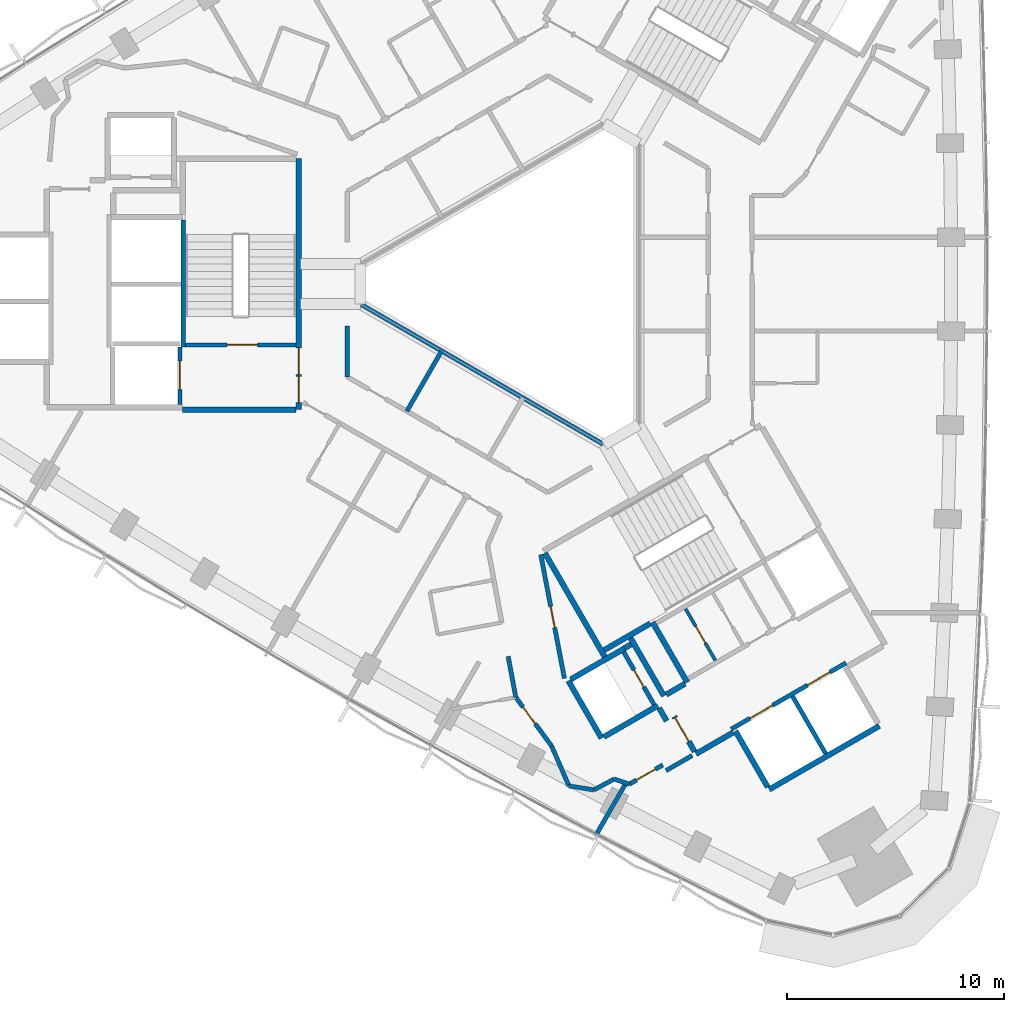
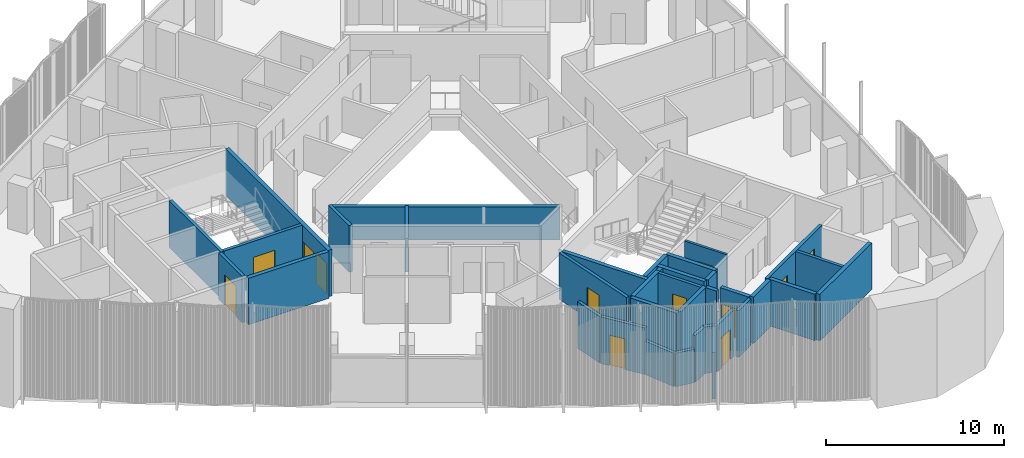
# One storey, part 8 of 15: 36 walls, 12 doors, 12 openings.
"""IFC4 building model written with IfcOpenShell, lengths in metres."""

from ifc_helpers import new_model, si_unit, direction, frame, frame_2d, origin, place, context, subcontext, project, spatial, rectangle, extrude, material, layer, layer_set, type_object, element, fill, save


model = new_model("IFC4")

# Units and contexts
model_context = context("Model", 3, precision=1e-05, world=origin(), true_north=direction((0.0, 1.0)))
body_context = subcontext(model_context, "Body", "Model", "MODEL_VIEW")
ifc_project = project(units=[si_unit("LENGTHUNIT", "METRE"), si_unit("AREAUNIT", "SQUARE_METRE"), si_unit("VOLUMEUNIT", "CUBIC_METRE"), si_unit("PLANEANGLEUNIT", "RADIAN"), si_unit("MASSUNIT", "GRAM", prefix="KILO")], contexts=[model_context])

# Site, building, storey
site_placement = place(None, origin())
site = spatial("IfcSite", under=ifc_project, at=site_placement, CompositionType="ELEMENT")
building_placement = place(site_placement, origin())
building = spatial("IfcBuilding", under=site, at=building_placement, Name="Tamra Quay Hotel Tower", CompositionType="ELEMENT")
storey_placement = place(building_placement, frame((0.0, 0.0, 157.60009765625)))
storey = spatial("IfcBuildingStorey", under=building, at=storey_placement, Name="L39", CompositionType="ELEMENT", Elevation=157.60009765625)

# Wall
ifc_material_1 = material(Name="Concrete M70", Category="concrete")
ifc_layer_1 = layer(ifc_material_1, 0.199951171875)
ifc_layer_set_1 = layer_set([ifc_layer_1], Name="Concrete M70 core wall 200")
wall_type_1 = type_object("IfcWallType", Name="Concrete M70 core wall 200", PredefinedType="SHEAR", material=ifc_layer_set_1)
wall_1_placement = place(storey_placement, frame((-16.162109375, 2.95068359375, 0.0), z_axis=(0.0, 0.0, 1.0), x_axis=(0.0, -1.0, 0.0)))
element("IfcWall", 1, at=wall_1_placement, inside=storey, type_object=wall_type_1, Name="CW2", PredefinedType="SHEAR", context=body_context, shape_type="SweptSolid", body=[
    extrude(rectangle(XDim=5.850830078125, YDim=0.199951171875, at=frame_2d((2.92529296875, 0.0))), origin(), (0.0, 0.0, 1.0), 3.199951171875),
])

# Wall, opening, door
wall_2_placement = place(storey_placement, frame((-10.96337890625, -2.800048828125, 0.0), z_axis=(0.0, 0.0, 1.0), x_axis=(-1.0, 0.0, 0.0)))
wall_2 = element("IfcWall", 2, at=wall_2_placement, inside=storey, type_object=wall_type_1, Name="CW2", PredefinedType="SHEAR", context=body_context, shape_type="SweptSolid", body=[
    extrude(rectangle(XDim=5.097900390625, YDim=0.199951171875, at=frame_2d((2.548828125, 0.0))), origin(), (0.0, 0.0, 1.0), 3.199951171875),
])
opening_1_placement = place(wall_2_placement, frame((1.77392578125, 0.0, 0.0)))
opening_1 = element("IfcOpeningElement", 3, at=opening_1_placement, cuts=wall_2, Name="Opening FD2", PredefinedType="OPENING", context=body_context, shape_type="SweptSolid", body=[
    extrude(rectangle(XDim=1.39990234375, YDim=2.10009765625, at=frame_2d((0.699951171875, 1.050048828125))), frame((0.0, 0.10986328125, 0.0), z_axis=(0.0, -1.0, 0.0), x_axis=(1.0, 0.0, 0.0)), (0.0, 0.0, 1.0), 0.219970703125),
])
ifc_material_2 = material(Name="Core door FD2 1400x2100 LH")
door_type_1 = type_object("IfcDoorType", Name="Core door FD2 1400x2100 LH", OperationType="NOTDEFINED", PredefinedType="DOOR", material=ifc_material_2)
door_1_placement = place(opening_1_placement, origin())
door_1 = element("IfcDoor", 4, at=door_1_placement, inside=storey, type_object=door_type_1, Name="FD2", OperationType="SINGLE_SWING_LEFT", OverallHeight=2.10009765625, OverallWidth=1.39990234375, PredefinedType="DOOR", context=body_context, shape_type="SweptSolid", body=[
    extrude(rectangle(XDim=1.39990234375, YDim=2.10009765625, at=frame_2d((0.699951171875, 1.050048828125))), frame((0.0, 0.02490234375, 0.0), z_axis=(0.0, -1.0, 0.0), x_axis=(1.0, 0.0, 0.0)), (0.0, 0.0, 1.0), 0.050048828125),
])
fill(opening_1, door_1)

wall_3_placement = place(storey_placement, frame((-16.312255859375, -2.898193359375, 0.0), z_axis=(0.0, 0.0, 1.0), x_axis=(0.0, -1.0, 0.0)))
wall_3 = element("IfcWall", 5, at=wall_3_placement, inside=storey, type_object=wall_type_1, Name="CW2", PredefinedType="SHEAR", context=body_context, shape_type="SweptSolid", body=[
    extrude(rectangle(XDim=2.65087890625, YDim=0.199951171875, at=frame_2d((1.325439453125, 0.0))), origin(), (0.0, 0.0, 1.0), 3.199951171875),
])
opening_2_placement = place(wall_3_placement, frame((0.65185546875, 0.0, 0.0)))
opening_2 = element("IfcOpeningElement", 6, at=opening_2_placement, cuts=wall_3, Name="Opening LD", PredefinedType="OPENING", context=body_context, shape_type="SweptSolid", body=[
    extrude(rectangle(XDim=1.300048828125, YDim=2.10009765625, at=frame_2d((0.64990234375, 1.050048828125))), frame((0.0, 0.10986328125, 0.0), z_axis=(0.0, -1.0, 0.0), x_axis=(1.0, 0.0, 0.0)), (0.0, 0.0, 1.0), 0.219970703125),
])
ifc_material_3 = material(Name="Landing door LD 1300 sliding to left")
door_type_2 = type_object("IfcDoorType", Name="Landing door LD 1300 sliding to left", OperationType="NOTDEFINED", PredefinedType="DOOR", material=ifc_material_3)
door_2_placement = place(opening_2_placement, origin())
door_2 = element("IfcDoor", 7, at=door_2_placement, inside=storey, type_object=door_type_2, Name="LD", OperationType="SLIDING_TO_LEFT", OverallHeight=2.10009765625, OverallWidth=1.300048828125, PredefinedType="DOOR", context=body_context, shape_type="SweptSolid", body=[
    extrude(rectangle(XDim=1.300048828125, YDim=2.10009765625, at=frame_2d((0.64990234375, 1.050048828125))), frame((0.0, 0.02490234375, 0.0), z_axis=(0.0, -1.0, 0.0), x_axis=(1.0, 0.0, 0.0)), (0.0, 0.0, 1.0), 0.050048828125),
])
fill(opening_2, door_2)

# Wall, openings, doors
wall_4_placement = place(storey_placement, frame((9.052490234375, -20.479736328125, 0.0), z_axis=(0.0, 0.0, 1.0), x_axis=(0.866030299012, 0.499991521122, 0.0)))
wall_4 = element("IfcWall", 8, at=wall_4_placement, inside=storey, type_object=wall_type_1, Name="CW2", PredefinedType="SHEAR", context=body_context, shape_type="SweptSolid", body=[
    extrude(rectangle(XDim=6.10009765625, YDim=0.199951171875, at=frame_2d((3.050048828125, 0.0))), origin(), (0.0, 0.0, 1.0), 3.199951171875),
])
opening_3_placement = place(wall_4_placement, frame((1.0, 0.0, 0.0)))
opening_3 = element("IfcOpeningElement", 9, at=opening_3_placement, cuts=wall_4, Name="Opening LD", PredefinedType="OPENING", context=body_context, shape_type="SweptSolid", body=[
    extrude(rectangle(XDim=1.199951171875, YDim=2.10009765625, at=frame_2d((0.60009765625, 1.050048828125))), frame((0.0, 0.10986328125, 0.0), z_axis=(0.0, -1.0, 0.0), x_axis=(1.0, 0.0, 0.0)), (0.0, 0.0, 1.0), 0.219970703125),
])
opening_4_placement = place(wall_4_placement, frame((4.05029296875, 0.0, 0.0)))
opening_4 = element("IfcOpeningElement", 10, at=opening_4_placement, cuts=wall_4, Name="Opening LD", PredefinedType="OPENING", context=body_context, shape_type="SweptSolid", body=[
    extrude(rectangle(XDim=1.199951171875, YDim=2.10009765625, at=frame_2d((0.60009765625, 1.050048828125))), frame((0.0, 0.10986328125, 0.0), z_axis=(0.0, -1.0, 0.0), x_axis=(1.0, 0.0, 0.0)), (0.0, 0.0, 1.0), 0.219970703125),
])
ifc_material_4 = material(Name="Landing door LD 1200 double door sliding")
door_type_3 = type_object("IfcDoorType", Name="Landing door LD 1200 double door sliding", OperationType="DOUBLE_DOOR_SLIDING", PredefinedType="DOOR", material=ifc_material_4)
door_3_placement = place(opening_3_placement, origin())
door_3 = element("IfcDoor", 11, at=door_3_placement, inside=storey, type_object=door_type_3, Name="LD", OperationType="DOUBLE_DOOR_SLIDING", OverallHeight=2.10009765625, OverallWidth=1.199951171875, PredefinedType="DOOR", context=body_context, shape_type="SweptSolid", body=[
    extrude(rectangle(XDim=1.199951171875, YDim=2.10009765625, at=frame_2d((0.60009765625, 1.050048828125))), frame((0.0, 0.02490234375, 0.0), z_axis=(0.0, -1.0, 0.0), x_axis=(1.0, 0.0, 0.0)), (0.0, 0.0, 1.0), 0.050048828125),
])
fill(opening_3, door_3)
door_4_placement = place(opening_4_placement, origin())
door_4 = element("IfcDoor", 12, at=door_4_placement, inside=storey, type_object=door_type_3, Name="LD", OperationType="DOUBLE_DOOR_SLIDING", OverallHeight=2.10009765625, OverallWidth=1.199951171875, PredefinedType="DOOR", context=body_context, shape_type="SweptSolid", body=[
    extrude(rectangle(XDim=1.199951171875, YDim=2.10009765625, at=frame_2d((0.60009765625, 1.050048828125))), frame((0.0, 0.02490234375, 0.0), z_axis=(0.0, -1.0, 0.0), x_axis=(1.0, 0.0, 0.0)), (0.0, 0.0, 1.0), 0.050048828125),
])
fill(opening_4, door_4)

# Wall
wall_5_placement = place(storey_placement, frame((11.87451171875, -18.967041015625, 0.0), z_axis=(0.0, 0.0, 1.0), x_axis=(0.49998131003, -0.866036194175, 0.0)))
element("IfcWall", 13, at=wall_5_placement, inside=storey, type_object=wall_type_1, Name="CW2", PredefinedType="SHEAR", context=body_context, shape_type="SweptSolid", body=[
    extrude(rectangle(XDim=3.0478515625, YDim=0.199951171875, at=frame_2d((1.52392578125, 0.0))), origin(), (0.0, 0.0, 1.0), 3.199951171875),
])

# Wall, opening, door
wall_6_placement = place(storey_placement, frame((5.50341796875, -19.352294921875, 0.0), z_axis=(0.0, 0.0, 1.0), x_axis=(-0.499986818241, 0.866033014143, 0.0)))
wall_6 = element("IfcWall", 14, at=wall_6_placement, inside=storey, type_object=wall_type_1, Name="CW2", PredefinedType="SHEAR", context=body_context, shape_type="SweptSolid", body=[
    extrude(rectangle(XDim=2.7978515625, YDim=0.199951171875, at=frame_2d((1.39892578125, 0.0))), origin(), (0.0, 0.0, 1.0), 3.199951171875),
])
opening_5_placement = place(wall_6_placement, frame((0.948974609375, 0.0, 0.0)))
opening_5 = element("IfcOpeningElement", 15, at=opening_5_placement, cuts=wall_6, Name="Opening D1", PredefinedType="OPENING", context=body_context, shape_type="SweptSolid", body=[
    extrude(rectangle(XDim=0.89990234375, YDim=2.10009765625, at=frame_2d((0.449951171875, 1.050048828125))), frame((0.0, 0.10986328125, 0.0), z_axis=(0.0, -1.0, 0.0), x_axis=(1.0, 0.0, 0.0)), (0.0, 0.0, 1.0), 0.219970703125),
])
ifc_material_5 = material(Name="Core door D1 900x2100 LH")
door_type_4 = type_object("IfcDoorType", Name="Core door D1 900x2100 LH", OperationType="NOTDEFINED", PredefinedType="DOOR", material=ifc_material_5)
door_5_placement = place(opening_5_placement, origin())
door_5 = element("IfcDoor", 16, at=door_5_placement, inside=storey, type_object=door_type_4, Name="D1", OperationType="SINGLE_SWING_LEFT", OverallHeight=2.10009765625, OverallWidth=0.89990234375, PredefinedType="DOOR", context=body_context, shape_type="SweptSolid", body=[
    extrude(rectangle(XDim=0.89990234375, YDim=2.10009765625, at=frame_2d((0.449951171875, 1.050048828125))), frame((0.0, 0.02490234375, 0.0), z_axis=(0.0, -1.0, 0.0), x_axis=(1.0, 0.0, 0.0)), (0.0, 0.0, 1.0), 0.050048828125),
])
fill(opening_5, door_5)

# Wall, openings, doors
ifc_layer_2 = layer(ifc_material_1, 0.25)
ifc_layer_set_2 = layer_set([ifc_layer_2], Name="Concrete M70 core wall 250")
wall_type_2 = type_object("IfcWallType", Name="Concrete M70 core wall 250", PredefinedType="SHEAR", material=ifc_layer_set_2)
wall_7_placement = place(storey_placement, frame((-10.83740234375, 5.77490234375, 0.0), z_axis=(0.0, 0.0, 1.0), x_axis=(0.0, -1.0, 0.0)))
wall_7 = element("IfcWall", 17, at=wall_7_placement, inside=storey, type_object=wall_type_2, Name="CW1", PredefinedType="SHEAR", context=body_context, shape_type="SweptSolid", body=[
    extrude(rectangle(XDim=11.5498046875, YDim=0.25, at=frame_2d((5.77490234375, 0.0))), origin(), (0.0, 0.0, 1.0), 3.199951171875),
])
opening_6_placement = place(wall_7_placement, frame((10.02490234375, 0.0, 0.0)))
opening_6 = element("IfcOpeningElement", 18, at=opening_6_placement, cuts=wall_7, Name="Opening FD1", PredefinedType="OPENING", context=body_context, shape_type="SweptSolid", body=[
    extrude(rectangle(XDim=1.199951171875, YDim=2.10009765625, at=frame_2d((0.60009765625, 1.050048828125))), frame((0.0, 0.135009765625, 0.0), z_axis=(0.0, -1.0, 0.0), x_axis=(1.0, 0.0, 0.0)), (0.0, 0.0, 1.0), 0.27001953125),
])
opening_7_placement = place(wall_7_placement, frame((8.72509765625, 0.0, 0.0)))
opening_7 = element("IfcOpeningElement", 19, at=opening_7_placement, cuts=wall_7, Name="Opening FD1", PredefinedType="OPENING", context=body_context, shape_type="SweptSolid", body=[
    extrude(rectangle(XDim=1.199951171875, YDim=2.10009765625, at=frame_2d((0.60009765625, 1.050048828125))), frame((0.0, 0.135009765625, 0.0), z_axis=(0.0, -1.0, 0.0), x_axis=(1.0, 0.0, 0.0)), (0.0, 0.0, 1.0), 0.27001953125),
])
ifc_material_6 = material(Name="Core door FD1 1200x2100 LH")
door_type_5 = type_object("IfcDoorType", Name="Core door FD1 1200x2100 LH", OperationType="NOTDEFINED", PredefinedType="DOOR", material=ifc_material_6)
door_6_placement = place(opening_6_placement, origin())
door_6 = element("IfcDoor", 20, at=door_6_placement, inside=storey, type_object=door_type_5, Name="FD1", OperationType="SINGLE_SWING_LEFT", OverallHeight=2.10009765625, OverallWidth=1.199951171875, PredefinedType="DOOR", context=body_context, shape_type="SweptSolid", body=[
    extrude(rectangle(XDim=1.199951171875, YDim=2.10009765625, at=frame_2d((0.60009765625, 1.050048828125))), frame((0.0, 0.02490234375, 0.0), z_axis=(0.0, -1.0, 0.0), x_axis=(1.0, 0.0, 0.0)), (0.0, 0.0, 1.0), 0.050048828125),
])
fill(opening_6, door_6)
ifc_material_7 = material(Name="Core door FD1 1200x2100 RH")
door_type_6 = type_object("IfcDoorType", Name="Core door FD1 1200x2100 RH", OperationType="NOTDEFINED", PredefinedType="DOOR", material=ifc_material_7)
door_7_placement = place(opening_7_placement, origin())
door_7 = element("IfcDoor", 21, at=door_7_placement, inside=storey, type_object=door_type_6, Name="FD1", OperationType="SINGLE_SWING_RIGHT", OverallHeight=2.10009765625, OverallWidth=1.199951171875, PredefinedType="DOOR", context=body_context, shape_type="SweptSolid", body=[
    extrude(rectangle(XDim=1.199951171875, YDim=2.10009765625, at=frame_2d((0.60009765625, 1.050048828125))), frame((0.0, 0.02490234375, 0.0), z_axis=(0.0, -1.0, 0.0), x_axis=(1.0, 0.0, 0.0)), (0.0, 0.0, 1.0), 0.050048828125),
])
fill(opening_7, door_7)

# Walls
wall_8_placement = place(storey_placement, frame((-10.962646484375, -5.77490234375, 0.0), z_axis=(0.0, 0.0, 1.0), x_axis=(-1.0, 0.0, 0.0)))
element("IfcWall", 22, at=wall_8_placement, inside=storey, type_object=wall_type_2, Name="CW1", PredefinedType="SHEAR", context=body_context, shape_type="SweptSolid", body=[
    extrude(rectangle(XDim=5.224609375, YDim=0.25, at=frame_2d((2.6123046875, 0.0))), origin(), (0.0, 0.0, 1.0), 3.199951171875),
])
wall_9_placement = place(storey_placement, frame((15.86474609375, -20.328369140625, 0.0), z_axis=(0.0, 0.0, 1.0), x_axis=(-0.86602852612, -0.499994591916, 0.0)))
element("IfcWall", 23, at=wall_9_placement, inside=storey, type_object=wall_type_2, Name="CW1", PredefinedType="SHEAR", context=body_context, shape_type="SweptSolid", body=[
    extrude(rectangle(XDim=5.85009765625, YDim=0.25, at=frame_2d((2.925048828125, 0.0))), origin(), (0.0, 0.0, 1.0), 3.199951171875),
])
wall_10_placement = place(storey_placement, frame((3.23486328125, -17.15283203125, 0.0), z_axis=(0.0, 0.0, 1.0), x_axis=(-0.500008851346, 0.866020293397, 0.0)))
element("IfcWall", 24, at=wall_10_placement, inside=storey, type_object=wall_type_2, Name="CW1", PredefinedType="SHEAR", context=body_context, shape_type="SweptSolid", body=[
    extrude(rectangle(XDim=5.509765625, YDim=0.25, at=frame_2d((2.7548828125, 0.0))), origin(), (0.0, 0.0, 1.0), 3.199951171875),
])
wall_11_placement = place(storey_placement, frame((7.030517578125, -18.327392578125, 0.0), z_axis=(0.0, 0.0, 1.0), x_axis=(-0.499971222258, 0.866042017984, 0.0)))
element("IfcWall", 25, at=wall_11_placement, inside=storey, type_object=wall_type_2, Name="CW1", PredefinedType="SHEAR", context=body_context, shape_type="SweptSolid", body=[
    extrude(rectangle(XDim=3.199951171875, YDim=0.25, at=frame_2d((1.60009765625, 0.0))), origin(), (0.0, 0.0, 1.0), 3.199951171875),
])
wall_12_placement = place(storey_placement, frame((10.73583984375, -23.144775390625, 0.0), z_axis=(0.0, 0.0, 1.0), x_axis=(-0.500023226632, 0.866011993467, 0.0)))
element("IfcWall", 26, at=wall_12_placement, inside=storey, type_object=wall_type_2, Name="CW1", PredefinedType="SHEAR", context=body_context, shape_type="SweptSolid", body=[
    extrude(rectangle(XDim=2.974365234375, YDim=0.25, at=frame_2d((1.4873046875, 0.0))), origin(), (0.0, 0.0, 1.0), 3.199951171875),
])
wall_13_placement = place(storey_placement, frame((3.085205078125, -20.893798828125, 0.0), z_axis=(0.0, 0.0, 1.0), x_axis=(-0.499978833458, 0.866037623948, 0.0)))
element("IfcWall", 27, at=wall_13_placement, inside=storey, type_object=wall_type_2, Name="CW1", PredefinedType="SHEAR", context=body_context, shape_type="SweptSolid", body=[
    extrude(rectangle(XDim=3.050048828125, YDim=0.25, at=frame_2d((1.52490234375, 0.0))), origin(), (0.0, 0.0, 1.0), 3.199951171875),
])
wall_14_placement = place(storey_placement, frame((1.6689453125, -18.189697265625, 0.0), z_axis=(0.0, 0.0, 1.0), x_axis=(0.866042235819, 0.499970844928, 0.0)))
element("IfcWall", 28, at=wall_14_placement, inside=storey, type_object=wall_type_2, Name="CW1", PredefinedType="SHEAR", context=body_context, shape_type="SweptSolid", body=[
    extrude(rectangle(XDim=2.864501953125, YDim=0.25, at=frame_2d((1.43212890625, 0.0))), origin(), (0.0, 0.0, 1.0), 3.199951171875),
])
wall_15_placement = place(storey_placement, frame((5.6748046875, -19.39892578125, 0.0), z_axis=(0.0, 0.0, 1.0), x_axis=(-0.866026637627, -0.499997862916, 0.0)))
element("IfcWall", 29, at=wall_15_placement, inside=storey, type_object=wall_type_2, Name="CW1", PredefinedType="SHEAR", context=body_context, shape_type="SweptSolid", body=[
    extrude(rectangle(XDim=2.86474609375, YDim=0.25, at=frame_2d((1.432373046875, 0.0))), origin(), (0.0, 0.0, 1.0), 3.199951171875),
])
wall_16_placement = place(storey_placement, frame((4.414306640625, -16.275634765625, 0.0), z_axis=(0.0, 0.0, 1.0), x_axis=(0.500003324108, -0.866023484601, 0.0)))
element("IfcWall", 30, at=wall_16_placement, inside=storey, type_object=wall_type_2, Name="CW1", PredefinedType="SHEAR", context=body_context, shape_type="SweptSolid", body=[
    extrude(rectangle(XDim=3.0849609375, YDim=0.25, at=frame_2d((1.54248046875, 0.0))), origin(), (0.0, 0.0, 1.0), 3.199951171875),
])
wall_17_placement = place(storey_placement, frame((5.322021484375, -15.618896484375, 0.0), z_axis=(0.0, 0.0, 1.0), x_axis=(-0.866026229868, -0.499998569178, 0.0)))
element("IfcWall", 31, at=wall_17_placement, inside=storey, type_object=wall_type_2, Name="CW1", PredefinedType="SHEAR", context=body_context, shape_type="SweptSolid", body=[
    extrude(rectangle(XDim=2.44921875, YDim=0.25, at=frame_2d((1.224609375, 0.0))), origin(), (0.0, 0.0, 1.0), 3.199951171875),
])
wall_18_placement = place(storey_placement, frame((9.139892578125, -20.63134765625, 0.0), z_axis=(0.0, 0.0, 1.0), x_axis=(-0.866043531843, -0.499968599967, 0.0)))
element("IfcWall", 32, at=wall_18_placement, inside=storey, type_object=wall_type_2, Name="CW1", PredefinedType="SHEAR", context=body_context, shape_type="SweptSolid", body=[
    extrude(rectangle(XDim=1.974853515625, YDim=0.25, at=frame_2d((0.9873046875, 0.0))), origin(), (0.0, 0.0, 1.0), 3.199951171875),
])

# Wall, opening, door
wall_19_placement = place(storey_placement, frame((7.3671875, -21.51025390625, 0.0), z_axis=(0.0, 0.0, 1.0), x_axis=(-0.499983108224, 0.866035156036, 0.0)))
wall_19 = element("IfcWall", 33, at=wall_19_placement, inside=storey, type_object=wall_type_2, Name="CW1", PredefinedType="SHEAR", context=body_context, shape_type="SweptSolid", body=[
    extrude(rectangle(XDim=1.86474609375, YDim=0.25, at=frame_2d((0.932373046875, 0.0))), origin(), (0.0, 0.0, 1.0), 3.199951171875),
])
opening_8_placement = place(wall_19_placement, frame((0.53466796875, 0.0, 0.0)))
opening_8 = element("IfcOpeningElement", 34, at=opening_8_placement, cuts=wall_19, Name="Opening FD3", PredefinedType="OPENING", context=body_context, shape_type="SweptSolid", body=[
    extrude(rectangle(XDim=1.25, YDim=2.10009765625, at=frame_2d((0.625, 1.050048828125))), frame((0.0, 0.135009765625, 0.0), z_axis=(0.0, -1.0, 0.0), x_axis=(1.0, 0.0, 0.0)), (0.0, 0.0, 1.0), 0.27001953125),
])
ifc_material_8 = material(Name="Core door FD3 1250x2100 LH")
door_type_7 = type_object("IfcDoorType", Name="Core door FD3 1250x2100 LH", OperationType="NOTDEFINED", PredefinedType="DOOR", material=ifc_material_8)
door_8_placement = place(opening_8_placement, origin())
door_8 = element("IfcDoor", 35, at=door_8_placement, inside=storey, type_object=door_type_7, Name="FD3", OperationType="SINGLE_SWING_LEFT", OverallHeight=2.10009765625, OverallWidth=1.25, PredefinedType="DOOR", context=body_context, shape_type="SweptSolid", body=[
    extrude(rectangle(XDim=1.25, YDim=2.10009765625, at=frame_2d((0.625, 1.050048828125))), frame((0.0, 0.02490234375, 0.0), z_axis=(0.0, -1.0, 0.0), x_axis=(1.0, 0.0, 0.0)), (0.0, 0.0, 1.0), 0.050048828125),
])
fill(opening_8, door_8)

# Walls
wall_20_placement = place(storey_placement, frame((6.0654296875, -18.884765625, 0.0), z_axis=(0.0, 0.0, 1.0), x_axis=(0.866017078145, 0.500014420154, 0.0)))
element("IfcWall", 36, at=wall_20_placement, inside=storey, type_object=wall_type_2, Name="CW1", PredefinedType="SHEAR", context=body_context, shape_type="SweptSolid", body=[
    extrude(rectangle(XDim=0.9892578125, YDim=0.25, at=frame_2d((0.49462890625, 0.0))), origin(), (0.0, 0.0, 1.0), 3.199951171875),
])
wall_21_placement = place(storey_placement, frame((6.07958984375, -20.100341796875, 0.0), z_axis=(0.0, 0.0, 1.0), x_axis=(-0.500051773299, 0.865995510393, 0.0)))
element("IfcWall", 37, at=wall_21_placement, inside=storey, type_object=wall_type_2, Name="CW1", PredefinedType="SHEAR", context=body_context, shape_type="SweptSolid", body=[
    extrude(rectangle(XDim=0.6845703125, YDim=0.25, at=frame_2d((0.34228515625, 0.0))), origin(), (0.0, 0.0, 1.0), 3.199951171875),
])
wall_22_placement = place(storey_placement, frame((4.144775390625, -16.748779296875, 0.0), z_axis=(0.0, 0.0, 1.0), x_axis=(0.866185586049, 0.49972245349, 0.0)))
element("IfcWall", 38, at=wall_22_placement, inside=storey, type_object=wall_type_2, Name="CW1", PredefinedType="SHEAR", context=body_context, shape_type="SweptSolid", body=[
    extrude(rectangle(XDim=0.344482421875, YDim=0.25, at=frame_2d((0.17236328125, 0.0))), origin(), (0.0, 0.0, 1.0), 3.199951171875),
])

# Wall, opening, door
ifc_material_9 = material(Name="Blockwork", Category="masonry")
ifc_layer_3 = layer(ifc_material_9, 0.14990234375)
ifc_layer_set_3 = layer_set([ifc_layer_3], Name="Core partition block 150")
wall_type_3 = type_object("IfcWallType", Name="Core partition block 150", PredefinedType="PARTITIONING", material=ifc_layer_set_3)
wall_23_placement = place(storey_placement, frame((6.950927734375, -14.93896484375, 0.0), z_axis=(0.0, 0.0, 1.0), x_axis=(0.499988999718, -0.866031754707, 0.0)))
wall_23 = element("IfcWall", 39, at=wall_23_placement, inside=storey, type_object=wall_type_3, Name="CP1", PredefinedType="PARTITIONING", context=body_context, shape_type="SweptSolid", body=[
    extrude(rectangle(XDim=2.74853515625, YDim=0.14990234375, at=frame_2d((1.374267578125, 0.0))), origin(), (0.0, 0.0, 1.0), 3.199951171875),
])
opening_9_placement = place(wall_23_placement, frame((0.92431640625, 0.0, 0.0)))
opening_9 = element("IfcOpeningElement", 40, at=opening_9_placement, cuts=wall_23, Name="Opening D2", PredefinedType="OPENING", context=body_context, shape_type="SweptSolid", body=[
    extrude(rectangle(XDim=0.89990234375, YDim=2.10009765625, at=frame_2d((0.449951171875, 1.050048828125))), frame((0.0, 0.0849609375, 0.0), z_axis=(0.0, -1.0, 0.0), x_axis=(1.0, 0.0, 0.0)), (0.0, 0.0, 1.0), 0.169921875),
])
ifc_material_10 = material(Name="Core door D2 900x2100 LH")
door_type_8 = type_object("IfcDoorType", Name="Core door D2 900x2100 LH", OperationType="NOTDEFINED", PredefinedType="DOOR", material=ifc_material_10)
door_9_placement = place(opening_9_placement, origin())
door_9 = element("IfcDoor", 41, at=door_9_placement, inside=storey, type_object=door_type_8, Name="D2", OperationType="SINGLE_SWING_LEFT", OverallHeight=2.10009765625, OverallWidth=0.89990234375, PredefinedType="DOOR", context=body_context, shape_type="SweptSolid", body=[
    extrude(rectangle(XDim=0.89990234375, YDim=2.10009765625, at=frame_2d((0.449951171875, 1.050048828125))), frame((0.0, 0.02490234375, 0.0), z_axis=(0.0, -1.0, 0.0), x_axis=(1.0, 0.0, 0.0)), (0.0, 0.0, 1.0), 0.050048828125),
])
fill(opening_9, door_9)

# Walls
ifc_material_11 = material(Name="Partition corridor wall")
ifc_layer_4 = layer(ifc_material_11, 0.199951171875)
ifc_layer_set_4 = layer_set([ifc_layer_4], Name="Partition corridor wall")
wall_type_4 = type_object("IfcWallType", Name="Partition corridor wall", PredefinedType="PARTITIONING", material=ifc_layer_set_4)
wall_24_placement = place(storey_placement, frame((-8.612060546875, -4.264892578125, 0.0), z_axis=(0.0, 0.0, 1.0), x_axis=(0.0, 1.0, 0.0)))
element("IfcWall", 42, at=wall_24_placement, inside=storey, type_object=wall_type_4, Name="W-C", PredefinedType="PARTITIONING", context=body_context, shape_type="SweptSolid", body=[
    extrude(rectangle(XDim=2.3388671875, YDim=0.199951171875, at=frame_2d((1.16943359375, 0.0))), origin(), (0.0, 0.0, 1.0), 3.199951171875),
])
wall_25_placement = place(storey_placement, frame((-1.211669921875, -17.13134765625, 0.0), z_axis=(0.0, 0.0, 1.0), x_axis=(0.183680924698, -0.982985919483, 0.0)))
element("IfcWall", 43, at=wall_25_placement, inside=storey, type_object=wall_type_4, Name="W-C", PredefinedType="PARTITIONING", context=body_context, shape_type="SweptSolid", body=[
    extrude(rectangle(XDim=1.916748046875, YDim=0.199951171875, at=frame_2d((0.95849609375, 0.0))), origin(), (0.0, 0.0, 1.0), 3.199951171875),
])

# Wall, opening, door
wall_26_placement = place(storey_placement, frame((-0.85791015625, -19.01611328125, 0.0), z_axis=(0.0, 0.0, 1.0), x_axis=(0.593123867414, -0.805111220829, 0.0)))
wall_26 = element("IfcWall", 44, at=wall_26_placement, inside=storey, type_object=wall_type_4, Name="W-C", PredefinedType="PARTITIONING", context=body_context, shape_type="SweptSolid", body=[
    extrude(rectangle(XDim=2.769775390625, YDim=0.199951171875, at=frame_2d((1.384765625, 0.0))), origin(), (0.0, 0.0, 1.0), 3.199951171875),
])
opening_10_placement = place(wall_26_placement, frame((0.554931640625, 0.0, 0.0)))
opening_10 = element("IfcOpeningElement", 45, at=opening_10_placement, cuts=wall_26, Name="Opening L39-D021", PredefinedType="OPENING", context=body_context, shape_type="SweptSolid", body=[
    extrude(rectangle(XDim=0.949951171875, YDim=2.10009765625, at=frame_2d((0.47509765625, 1.050048828125))), frame((0.0, 0.10986328125, 0.0), z_axis=(0.0, -1.0, 0.0), x_axis=(1.0, 0.0, 0.0)), (0.0, 0.0, 1.0), 0.219970703125),
])
ifc_material_12 = material(Name="Door guest room 950x2100")
door_type_9 = type_object("IfcDoorType", Name="Door guest room 950x2100", OperationType="NOTDEFINED", PredefinedType="DOOR", material=ifc_material_12)
door_10_placement = place(opening_10_placement, frame((0.949951171875, 0.0, 0.0), z_axis=(0.0, 0.0, 1.0), x_axis=(-1.0, 0.0, 0.0)))
door_10 = element("IfcDoor", 46, at=door_10_placement, inside=storey, type_object=door_type_9, Name="L39-D021", OperationType="SINGLE_SWING_LEFT", OverallHeight=2.10009765625, OverallWidth=0.949951171875, PredefinedType="DOOR", context=body_context, shape_type="SweptSolid", body=[
    extrude(rectangle(XDim=0.949951171875, YDim=2.10009765625, at=frame_2d((0.47509765625, 1.050048828125))), frame((0.0, 0.02490234375, 0.0), z_axis=(0.0, -1.0, 0.0), x_axis=(1.0, 0.0, 0.0)), (0.0, 0.0, 1.0), 0.050048828125),
])
fill(opening_10, door_10)

wall_27_placement = place(storey_placement, frame((0.2890625, -12.445068359375, 0.0), z_axis=(0.0, 0.0, 1.0), x_axis=(0.187668946952, -0.982232338273, 0.0)))
wall_27 = element("IfcWall", 47, at=wall_27_placement, inside=storey, type_object=wall_type_4, Name="W-C", PredefinedType="PARTITIONING", context=body_context, shape_type="SweptSolid", body=[
    extrude(rectangle(XDim=5.802001953125, YDim=0.199951171875, at=frame_2d((2.90087890625, 0.0))), origin(), (0.0, 0.0, 1.0), 3.199951171875),
])
opening_11_placement = place(wall_27_placement, frame((2.43310546875, 0.0, 0.0)))
opening_11 = element("IfcOpeningElement", 48, at=opening_11_placement, cuts=wall_27, Name="Opening L39-D020", PredefinedType="OPENING", context=body_context, shape_type="SweptSolid", body=[
    extrude(rectangle(XDim=1.0, YDim=2.10009765625, at=frame_2d((0.5, 1.050048828125))), frame((0.0, 0.10986328125, 0.0), z_axis=(0.0, -1.0, 0.0), x_axis=(1.0, 0.0, 0.0)), (0.0, 0.0, 1.0), 0.219970703125),
])
ifc_material_13 = material(Name="Door guest room 1000x2100")
door_type_10 = type_object("IfcDoorType", Name="Door guest room 1000x2100", OperationType="NOTDEFINED", PredefinedType="DOOR", material=ifc_material_13)
door_11_placement = place(opening_11_placement, origin())
door_11 = element("IfcDoor", 49, at=door_11_placement, inside=storey, type_object=door_type_10, Name="L39-D020", OperationType="SINGLE_SWING_LEFT", OverallHeight=2.10009765625, OverallWidth=1.0, PredefinedType="DOOR", context=body_context, shape_type="SweptSolid", body=[
    extrude(rectangle(XDim=1.0, YDim=2.10009765625, at=frame_2d((0.5, 1.050048828125))), frame((0.0, 0.02490234375, 0.0), z_axis=(0.0, -1.0, 0.0), x_axis=(1.0, 0.0, 0.0)), (0.0, 0.0, 1.0), 0.050048828125),
])
fill(opening_11, door_11)

# Walls
wall_28_placement = place(storey_placement, frame((0.784912109375, -21.24609375, 0.0), z_axis=(0.0, 0.0, 1.0), x_axis=(0.398365586627, -0.917226721913, 0.0)))
element("IfcWall", 50, at=wall_28_placement, inside=storey, type_object=wall_type_4, Name="W-C", PredefinedType="PARTITIONING", context=body_context, shape_type="SweptSolid", body=[
    extrude(rectangle(XDim=2.005859375, YDim=0.199951171875, at=frame_2d((1.0029296875, 0.0))), origin(), (0.0, 0.0, 1.0), 2.2998046875),
])
wall_29_placement = place(storey_placement, frame((1.583984375, -23.0859375, 0.0), z_axis=(0.0, 0.0, 1.0), x_axis=(0.986654221629, -0.162829502674, 0.0)))
element("IfcWall", 51, at=wall_29_placement, inside=storey, type_object=wall_type_4, Name="W-C", PredefinedType="PARTITIONING", context=body_context, shape_type="SweptSolid", body=[
    extrude(rectangle(XDim=1.160400390625, YDim=0.199951171875, at=frame_2d((0.580078125, 0.0))), origin(), (0.0, 0.0, 1.0), 2.2998046875),
])
wall_30_placement = place(storey_placement, frame((2.72998046875, -23.27490234375, 0.0), z_axis=(0.0, 0.0, 1.0), x_axis=(0.880927165636, 0.473251866182, 0.0)))
element("IfcWall", 52, at=wall_30_placement, inside=storey, type_object=wall_type_4, Name="W-C", PredefinedType="PARTITIONING", context=body_context, shape_type="SweptSolid", body=[
    extrude(rectangle(XDim=1.064697265625, YDim=0.199951171875, at=frame_2d((0.5322265625, 0.0))), origin(), (0.0, 0.0, 1.0), 3.199951171875),
])
wall_31_placement = place(storey_placement, frame((3.66796875, -22.77099609375, 0.0), z_axis=(0.0, 0.0, 1.0), x_axis=(0.944447470761, -0.328662402738, 0.0)))
element("IfcWall", 53, at=wall_31_placement, inside=storey, type_object=wall_type_4, Name="W-C", PredefinedType="PARTITIONING", context=body_context, shape_type="SweptSolid", body=[
    extrude(rectangle(XDim=0.734619140625, YDim=0.199951171875, at=frame_2d((0.3671875, 0.0))), origin(), (0.0, 0.0, 1.0), 3.199951171875),
])

# Wall, opening, door
wall_32_placement = place(storey_placement, frame((4.362060546875, -23.011962890625, 0.0), z_axis=(0.0, 0.0, 1.0), x_axis=(0.866692617793, 0.49884256661, 0.0)))
wall_32 = element("IfcWall", 54, at=wall_32_placement, inside=storey, type_object=wall_type_4, Name="W-C", PredefinedType="PARTITIONING", context=body_context, shape_type="SweptSolid", body=[
    extrude(rectangle(XDim=1.778076171875, YDim=0.199951171875, at=frame_2d((0.88916015625, 0.0))), origin(), (0.0, 0.0, 1.0), 3.199951171875),
])
opening_12_placement = place(wall_32_placement, frame((0.388916015625, 0.0, 0.0)))
opening_12 = element("IfcOpeningElement", 55, at=opening_12_placement, cuts=wall_32, Name="Opening L39-D023", PredefinedType="OPENING", context=body_context, shape_type="SweptSolid", body=[
    extrude(rectangle(XDim=1.0, YDim=2.10009765625, at=frame_2d((0.5, 1.050048828125))), frame((0.0, 0.10986328125, 0.0), z_axis=(0.0, -1.0, 0.0), x_axis=(1.0, 0.0, 0.0)), (0.0, 0.0, 1.0), 0.219970703125),
])
door_12_placement = place(opening_12_placement, frame((1.0, 0.0, 0.0), z_axis=(0.0, 0.0, 1.0), x_axis=(-1.0, 0.0, 0.0)))
door_12 = element("IfcDoor", 56, at=door_12_placement, inside=storey, type_object=door_type_10, Name="L39-D023", OperationType="SINGLE_SWING_LEFT", OverallHeight=2.10009765625, OverallWidth=1.0, PredefinedType="DOOR", context=body_context, shape_type="SweptSolid", body=[
    extrude(rectangle(XDim=1.0, YDim=2.10009765625, at=frame_2d((0.5, 1.050048828125))), frame((0.0, 0.02490234375, 0.0), z_axis=(0.0, -1.0, 0.0), x_axis=(1.0, 0.0, 0.0)), (0.0, 0.0, 1.0), 0.050048828125),
])
fill(opening_12, door_12)

# Walls
wall_33_placement = place(storey_placement, frame((6.053955078125, -22.385009765625, 0.0), z_axis=(0.0, 0.0, 1.0), x_axis=(0.86593101922, 0.500163443238, 0.0)))
element("IfcWall", 57, at=wall_33_placement, inside=storey, type_object=wall_type_4, Name="W-C", PredefinedType="PARTITIONING", context=body_context, shape_type="SweptSolid", body=[
    extrude(rectangle(XDim=1.3896484375, YDim=0.199951171875, at=frame_2d((0.69482421875, 0.0))), origin(), (0.0, 0.0, 1.0), 3.199951171875),
])
ifc_material_14 = material(Name="Partition party wall")
ifc_layer_5 = layer(ifc_material_14, 0.199951171875)
ifc_layer_set_5 = layer_set([ifc_layer_5], Name="Partition party wall")
wall_type_5 = type_object("IfcWallType", Name="Partition party wall", PredefinedType="PARTITIONING", material=ifc_layer_set_5)
wall_34_placement = place(storey_placement, frame((-8.0, -0.924072265625, 0.0), z_axis=(0.0, 0.0, 1.0), x_axis=(0.86604129137, -0.499972480886, 0.0)))
element("IfcWall", 58, at=wall_34_placement, inside=storey, type_object=wall_type_5, Name="W-P", PredefinedType="PARTITIONING", context=body_context, shape_type="SweptSolid", body=[
    extrude(rectangle(XDim=12.932373046875, YDim=0.199951171875, at=frame_2d((6.46630859375, 0.0))), origin(), (0.0, 0.0, 1.0), 2.2998046875),
])
wall_35_placement = place(storey_placement, frame((-5.872314453125, -5.84765625, 0.0), z_axis=(0.0, 0.0, 1.0), x_axis=(0.499872130319, 0.866099216793, 0.0)))
element("IfcWall", 59, at=wall_35_placement, inside=storey, type_object=wall_type_5, Name="W-P", PredefinedType="PARTITIONING", context=body_context, shape_type="SweptSolid", body=[
    extrude(rectangle(XDim=3.200439453125, YDim=0.199951171875, at=frame_2d((1.60009765625, 0.0))), origin(), (0.0, 0.0, 1.0), 2.2998046875),
])
wall_36_placement = place(storey_placement, frame((2.845458984375, -25.321044921875, 0.0), z_axis=(0.0, 0.0, 1.0), x_axis=(0.499942002849, 0.866058885866, 0.0)))
element("IfcWall", 60, at=wall_36_placement, inside=storey, type_object=wall_type_5, Name="W-P", PredefinedType="PARTITIONING", context=body_context, shape_type="SweptSolid", body=[
    extrude(rectangle(XDim=2.727294921875, YDim=0.199951171875, at=frame_2d((1.36376953125, 0.0))), origin(), (0.0, 0.0, 1.0), 3.199951171875),
])

save(model, "model.ifc")
